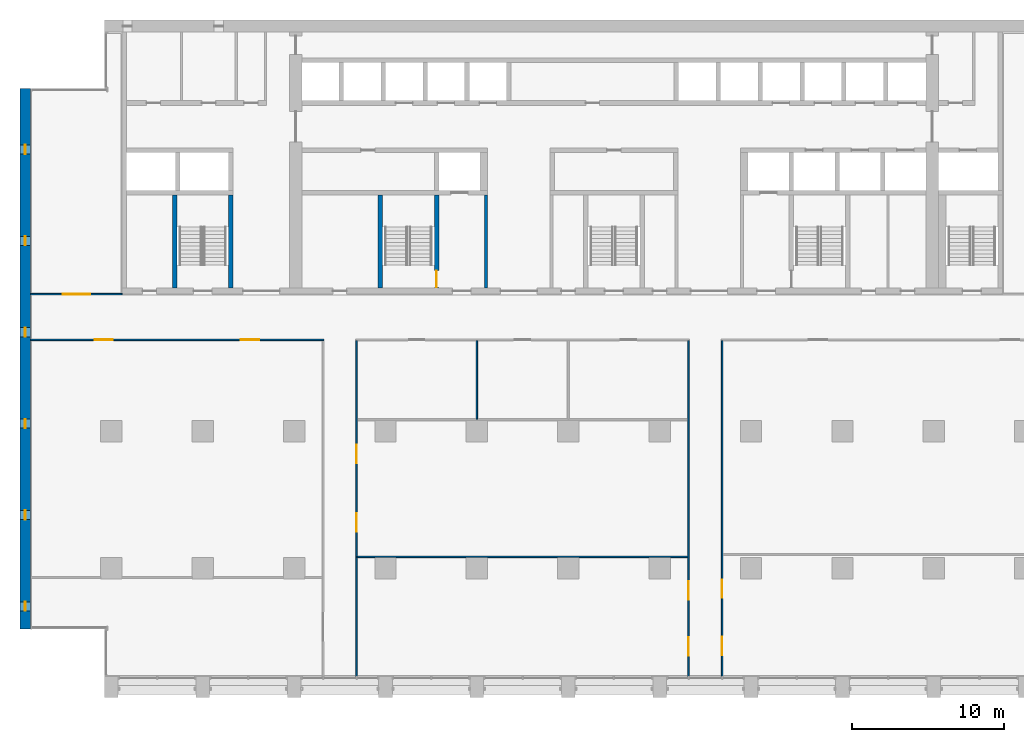
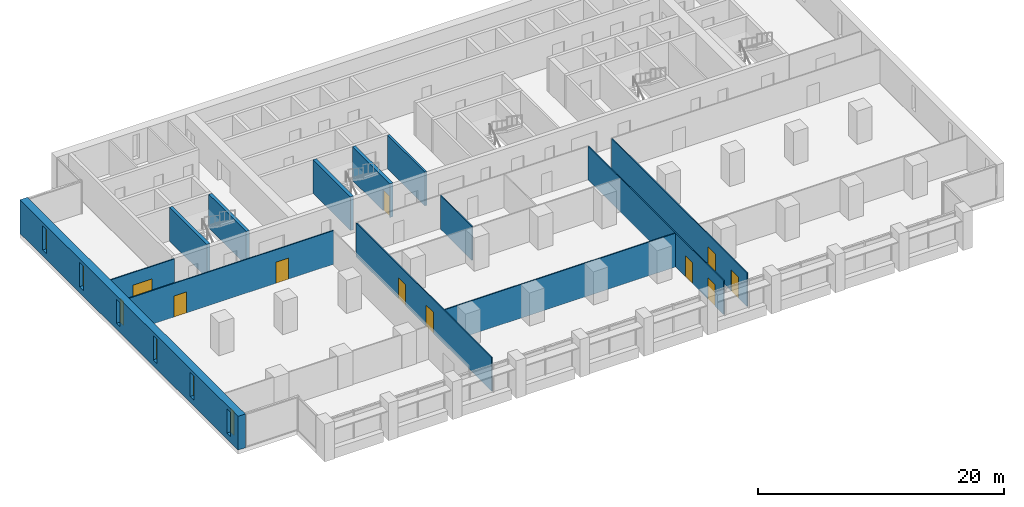
# One storey, part 8 of 15: 13 walls, 10 doors, 6 windows, 16 openings.
"""IFC4 building model written with IfcOpenShell, lengths in metres."""

import ifcopenshell
import ifcopenshell.guid

model = None  # the IFC model being written
_history = None  # IfcOwnerHistory: only IFC2X3 demands one
_inside = {}  # id of a spatial element -> (the spatial element, [elements in it])
_under = {}  # id of a project, library or spatial element -> (it, [spatial elements below it])
_declared = {}  # id of a project -> (the project, [libraries it declares])
_typed = {}  # id of a type object -> (the type object, [elements of that type])
_made_of = {}  # id of a material, layer set ... -> (it, [elements and type objects made of it])


def new_model(schema):
    """Start an empty IFC model of exactly this schema.

    Asked for "IFC4X3", IfcOpenShell would pick the latest addendum, in which some entities
    have other attributes; the version numbers below select the first issue.
    IFC2X3 requires an IfcOwnerHistory on every rooted entity: one is made here for all.
    """
    global model, _history
    if schema == "IFC4X3":
        model = ifcopenshell.file(schema_version=(4, 3, 0, 0))
    else:
        model = ifcopenshell.file(schema=schema)
    _inside.clear()
    _under.clear()
    _declared.clear()
    _typed.clear()
    _made_of.clear()
    _history = None
    if model.schema == "IFC2X3":
        org = make("IfcOrganization", Name="unknown")
        user = make(
            "IfcPersonAndOrganization",
            ThePerson=make("IfcPerson", FamilyName="unknown"),
            TheOrganization=org,
        )
        app = make(
            "IfcApplication",
            ApplicationDeveloper=org,
            Version="unknown",
            ApplicationFullName="unknown",
            ApplicationIdentifier="unknown",
        )
        _history = make(
            "IfcOwnerHistory",
            OwningUser=user,
            OwningApplication=app,
            ChangeAction="ADDED",
            CreationDate=0,
        )
    return model


def make(cls, **values):
    """One entity of the class cls with the attributes given. An attribute that is None is left unset."""
    return model.create_entity(
        cls, **{name: value for name, value in values.items() if value is not None}
    )


def rooted(cls, **values):
    """An entity with a GlobalId (a new one), such as an element, a storey or a relation."""
    return make(cls, GlobalId=ifcopenshell.guid.new(), OwnerHistory=_history, **values)


def si_unit(unit_type, name, prefix=None):
    """IfcSIUnit, for example si_unit("LENGTHUNIT", "METRE", prefix="MILLI")."""
    return make("IfcSIUnit", UnitType=unit_type, Prefix=prefix, Name=name)


def assignment(units):
    """IfcUnitAssignment: the units of a project."""
    return None if units is None else make("IfcUnitAssignment", Units=units)


def point(xyz):
    """IfcCartesianPoint."""
    return None if xyz is None else make("IfcCartesianPoint", Coordinates=xyz)


def direction(xyz):
    """IfcDirection."""
    return None if xyz is None else make("IfcDirection", DirectionRatios=xyz)


def frame(location, z_axis=None, x_axis=None):
    """IfcAxis2Placement3D, a coordinate frame: its origin and axes. An axis left out is left unset."""
    return make(
        "IfcAxis2Placement3D",
        Location=point(location),
        Axis=direction(z_axis),
        RefDirection=direction(x_axis),
    )


def frame_2d(location, x_axis=None):
    """IfcAxis2Placement2D, a coordinate frame in the plane: its origin and x axis."""
    return make(
        "IfcAxis2Placement2D", Location=point(location), RefDirection=direction(x_axis)
    )


def origin():
    """The frame at (0, 0, 0) with its axes left unset."""
    return frame((0.0, 0.0, 0.0))


def place(relative_to, where):
    """IfcLocalPlacement: puts the frame where relative to a parent placement (None: the world)."""
    return make(
        "IfcLocalPlacement", PlacementRelTo=relative_to, RelativePlacement=where
    )


def context(
    kind, dimensions, precision=None, world=None, true_north=None, identifier=None
):
    """IfcGeometricRepresentationContext, for example the 3D "Model" context."""
    return make(
        "IfcGeometricRepresentationContext",
        ContextIdentifier=identifier,
        ContextType=kind,
        CoordinateSpaceDimension=dimensions,
        Precision=precision,
        WorldCoordinateSystem=world,
        TrueNorth=true_north,
    )


def subcontext(parent, identifier, kind, view, scale=None):
    """IfcGeometricRepresentationSubContext, for example "Body" below "Model"."""
    return make(
        "IfcGeometricRepresentationSubContext",
        ContextIdentifier=identifier,
        ContextType=kind,
        ParentContext=parent,
        TargetScale=scale,
        TargetView=view,
    )


def project(units=None, contexts=None):
    """IfcProject with its units and contexts."""
    return rooted(
        "IfcProject",
        Name="project",
        RepresentationContexts=contexts,
        UnitsInContext=assignment(units),
    )


def spatial(cls, under=None, at=None, **own):
    """A site, building, storey or space (cls), placed at a placement, below another one or the project."""
    s = rooted(cls, ObjectPlacement=at, **own)
    if under is not None:
        _under.setdefault(under.id(), (under, []))[1].append(s)
    return s


def profile(cls, at=None, kind="AREA", **sizes):
    """A parametric profile (cls). Its sizes go by their IFC names, for example OverallWidth=200.0."""
    return make(cls, ProfileType=kind, Position=at, **sizes)


def rectangle(**sizes):
    """IfcRectangleProfileDef."""
    return profile("IfcRectangleProfileDef", **sizes)


def extrude(swept, where, along, depth):
    """IfcExtrudedAreaSolid: the profile swept, set in the frame where, extruded along a direction by depth."""
    return make(
        "IfcExtrudedAreaSolid",
        SweptArea=swept,
        Position=where,
        ExtrudedDirection=direction(along),
        Depth=depth,
    )


def shape(context_of_items, identifier, shape_type, items):
    """IfcShapeRepresentation: the items that make up one representation, for example the "Body"."""
    return make(
        "IfcShapeRepresentation",
        ContextOfItems=context_of_items,
        RepresentationIdentifier=identifier,
        RepresentationType=shape_type,
        Items=items,
    )


def material(Name=None, Category=None):
    """IfcMaterial."""
    return make("IfcMaterial", Name=Name, Category=Category)


def layer(
    of_material, thickness, ventilated=None, Name=None, Category=None, Priority=None
):
    """IfcMaterialLayer: one layer of a wall or slab, of a material (None: an air gap)."""
    return make(
        "IfcMaterialLayer",
        Material=of_material,
        LayerThickness=thickness,
        IsVentilated=ventilated,
        Name=Name,
        Category=Category,
        Priority=Priority,
    )


def layer_set(layers, Name=None):
    """IfcMaterialLayerSet."""
    return make("IfcMaterialLayerSet", MaterialLayers=layers, LayerSetName=Name)


def made_of(thing, what):
    """Note that an element or type object is made of a material, layer set ...; save() writes the relation."""
    if what is not None:
        _made_of.setdefault(what.id(), (what, []))[1].append(thing)
    return thing


def type_object(cls, material=None, **own):
    """A type object (cls), such as IfcWallType, which elements share."""
    return made_of(rooted(cls, **own), material)


def element(
    cls,
    number,
    at=None,
    inside=None,
    cuts=None,
    type_object=None,
    material=None,
    context=None,
    identifier="Body",
    shape_type=None,
    held_by="IfcProductDefinitionShape",
    body=None,
    shapes=None,
    **own,
):
    """One element of the class cls, such as IfcWall. Its Tag is "e" and its number.

    at: its placement. inside: the storey or other place that contains it. cuts: it is an
    opening in that element (IfcRelVoidsElement). A single representation is given by context,
    identifier, shape_type and body (its items); several are given by shapes. held_by: the class
    of the entity that holds the representations. save() writes the other relations.
    """
    e = rooted(cls, Tag="e%d" % number, ObjectPlacement=at, **own)
    if body is not None:
        shapes = [shape(context, identifier, shape_type, body)]
    if shapes is not None:
        e.Representation = make(held_by, Representations=shapes)
    if inside is not None:
        _inside.setdefault(inside.id(), (inside, []))[1].append(e)
    if cuts is not None:
        rooted(
            "IfcRelVoidsElement", RelatingBuildingElement=cuts, RelatedOpeningElement=e
        )
    if type_object is not None:
        _typed.setdefault(type_object.id(), (type_object, []))[1].append(e)
    return made_of(e, material)


def fill(opening, filler):
    """IfcRelFillsElement: the door or window that sits in an opening."""
    return rooted(
        "IfcRelFillsElement",
        RelatingOpeningElement=opening,
        RelatedBuildingElement=filler,
    )


def aggregate(whole, parts):
    """IfcRelAggregates: a whole, such as a stair, and the parts it consists of."""
    return rooted("IfcRelAggregates", RelatingObject=whole, RelatedObjects=parts)


def save(model, path):
    """Write the relations noted so far, then the file.

    IfcRelAggregates (storeys below a building ...), IfcRelContainedInSpatialStructure (elements
    in a storey), IfcRelDefinesByType, IfcRelAssociatesMaterial and IfcRelDeclares: one each for
    every whole, place, type object, material and project.
    """
    for whole, parts in _under.values():
        aggregate(whole, parts)
    for where, things in _inside.values():
        rooted(
            "IfcRelContainedInSpatialStructure",
            RelatedElements=things,
            RelatingStructure=where,
        )
    for kind, things in _typed.values():
        rooted("IfcRelDefinesByType", RelatedObjects=things, RelatingType=kind)
    for what, things in _made_of.values():
        rooted("IfcRelAssociatesMaterial", RelatedObjects=things, RelatingMaterial=what)
    for by, libraries in _declared.values():
        rooted("IfcRelDeclares", RelatingContext=by, RelatedDefinitions=libraries)
    model.write(path)


model = new_model("IFC4")

# Units and contexts
model_context = context("Model", 3, precision=1e-05, world=origin(), true_north=direction((0.0, 1.0)))
body_context = subcontext(model_context, "Body", "Model", "MODEL_VIEW")
ifc_project = project(units=[si_unit("LENGTHUNIT", "METRE"), si_unit("AREAUNIT", "SQUARE_METRE"), si_unit("VOLUMEUNIT", "CUBIC_METRE"), si_unit("PLANEANGLEUNIT", "RADIAN"), si_unit("MASSUNIT", "GRAM", prefix="KILO")], contexts=[model_context])

# Site, building, storey
site_placement = place(None, origin())
site = spatial("IfcSite", under=ifc_project, at=site_placement, CompositionType="ELEMENT")
building_placement = place(site_placement, origin())
building = spatial("IfcBuilding", under=site, at=building_placement, Name="Calvaro Tower", CompositionType="ELEMENT")
storey_placement = place(building_placement, frame((0.0, 0.0, 106.25)))
storey = spatial("IfcBuildingStorey", under=building, at=storey_placement, Name="L26", CompositionType="ELEMENT", Elevation=106.25)

# Walls
ifc_material_1 = material(Name="Blockwork partition", Category="masonry")
ifc_layer_1 = layer(ifc_material_1, 0.199951171875)
ifc_layer_set_1 = layer_set([ifc_layer_1], Name="Blockwork partition")
wall_type_1 = type_object("IfcWallType", Name="Core partition 200 REI 120", PredefinedType="PARTITIONING", material=ifc_layer_set_1)
wall_1_placement = place(storey_placement, frame((30.60009765625, 28.39990234375, 0.0), z_axis=(0.0, 0.0, 1.0), x_axis=(0.0, 1.0, 0.0)))
element("IfcWall", 1, at=wall_1_placement, inside=storey, type_object=wall_type_1, Name="Core partition", PredefinedType="PARTITIONING", context=body_context, shape_type="SweptSolid", body=[
    extrude(rectangle(XDim=6.10009765625, YDim=0.199951171875, at=frame_2d((3.050048828125, 0.0))), origin(), (0.0, 0.0, 1.0), 3.35009765625),
])
ifc_material_2 = material(Name="Concrete C60/75", Category="concrete")
ifc_layer_2 = layer(ifc_material_2, 0.300048828125)
ifc_layer_set_2 = layer_set([ifc_layer_2], Name="Concrete C60/75")
wall_type_2 = type_object("IfcWallType", Name="Core wall C60/75 300", PredefinedType="SHEAR", material=ifc_layer_set_2)
for number, where, z_axis, x_axis, name in (
    (2, (10.14990234375, 28.39990234375, 0.0), (0.0, 0.0, 1.0), (0.0, 1.0, 0.0), "Core wall, stair enclosure"),
    (3, (13.85009765625, 28.39990234375, 0.0), (0.0, 0.0, 1.0), (0.0, 1.0, 0.0), "Core wall, stair enclosure"),
    (4, (23.64990234375, 28.39990234375, 0.0), (0.0, 0.0, 1.0), (0.0, 1.0, 0.0), "Core wall, stair enclosure"),
):
    element("IfcWall", number, at=place(storey_placement, frame(where, z_axis=z_axis, x_axis=x_axis)), inside=storey, type_object=wall_type_2, Name=name, PredefinedType="SHEAR", context=body_context, shape_type="SweptSolid", body=[
        extrude(rectangle(XDim=6.10009765625, YDim=0.300048828125, at=frame_2d((3.050048828125, 0.0))), origin(), (0.0, 0.0, 1.0), 3.35009765625),
    ])

# Wall, opening, door
wall_2_placement = place(storey_placement, frame((27.35009765625, 28.39990234375, 0.0), z_axis=(0.0, 0.0, 1.0), x_axis=(0.0, 1.0, 0.0)))
wall_2 = element("IfcWall", 5, at=wall_2_placement, inside=storey, type_object=wall_type_2, Name="Core wall, stair enclosure", PredefinedType="SHEAR", context=body_context, shape_type="SweptSolid", body=[
    extrude(rectangle(XDim=6.10009765625, YDim=0.300048828125, at=frame_2d((3.050048828125, 0.0))), origin(), (0.0, 0.0, 1.0), 3.35009765625),
])
opening_1_placement = place(wall_2_placement, frame((0.050048828125, 0.0, 0.0)))
opening_1 = element("IfcOpeningElement", 6, at=opening_1_placement, cuts=wall_2, Name="Opening FD11D", PredefinedType="OPENING", context=body_context, shape_type="SweptSolid", body=[
    extrude(rectangle(XDim=1.10009765625, YDim=2.10009765625, at=frame_2d((0.550048828125, 1.050048828125))), frame((0.0, 0.159912109375, 0.0), z_axis=(0.0, -1.0, 0.0), x_axis=(1.0, 0.0, 0.0)), (0.0, 0.0, 1.0), 0.320068359375),
])
ifc_material_3 = material(Name="Steel door set", Category="steel")
door_type_1 = type_object("IfcDoorType", Name="Fire door 1100 FD30S", OperationType="SINGLE_SWING_LEFT", PredefinedType="DOOR", material=ifc_material_3)
door_1_placement = place(opening_1_placement, origin())
door_1 = element("IfcDoor", 7, at=door_1_placement, inside=storey, type_object=door_type_1, Name="Fire door", OperationType="SINGLE_SWING_LEFT", OverallHeight=2.10009765625, OverallWidth=1.10009765625, PredefinedType="DOOR", context=body_context, shape_type="SweptSolid", body=[
    extrude(rectangle(XDim=1.10009765625, YDim=2.10009765625, at=frame_2d((0.550048828125, 1.050048828125))), frame((0.0, 0.02490234375, 0.0), z_axis=(0.0, -1.0, 0.0), x_axis=(1.0, 0.0, 0.0)), (0.0, 0.0, 1.0), 0.050048828125),
])
fill(opening_1, door_1)

# Wall, openings, windows
ifc_material_4 = material(Name="Concrete C60/75", Category="concrete")
ifc_layer_3 = layer(ifc_material_4, 0.699951171875)
ifc_layer_set_3 = layer_set([ifc_layer_3], Name="Concrete C60/75")
wall_type_3 = type_object("IfcWallType", Name="End wall 700 C60/75", PredefinedType="SHEAR", material=ifc_layer_set_3)
wall_3_placement = place(storey_placement, frame((0.35009765625, 6.0, 0.0), z_axis=(0.0, 0.0, 1.0), x_axis=(0.0, 1.0, 0.0)))
wall_3 = element("IfcWall", 8, at=wall_3_placement, inside=storey, type_object=wall_type_3, Name="End shear wall", PredefinedType="SHEAR", context=body_context, shape_type="SweptSolid", body=[
    extrude(rectangle(XDim=35.5, YDim=0.699951171875, at=frame_2d((17.75, 0.0))), origin(), (0.0, 0.0, 1.0), 3.35009765625),
])
opening_2_placement = place(wall_3_placement, frame((1.199951171875, 0.0, 0.60009765625)))
opening_2 = element("IfcOpeningElement", 9, at=opening_2_placement, cuts=wall_3, Name="Opening WW01", PredefinedType="OPENING", context=body_context, shape_type="SweptSolid", body=[
    extrude(rectangle(XDim=0.60009765625, YDim=2.39990234375, at=frame_2d((0.300048828125, 1.199951171875))), frame((0.0, 0.35986328125, 0.0), z_axis=(0.0, -1.0, 0.0), x_axis=(1.0, 0.0, 0.0)), (0.0, 0.0, 1.0), 0.719970703125),
])
opening_3_placement = place(wall_3_placement, frame((7.199951171875, 0.0, 0.60009765625)))
opening_3 = element("IfcOpeningElement", 10, at=opening_3_placement, cuts=wall_3, Name="Opening WW02", PredefinedType="OPENING", context=body_context, shape_type="SweptSolid", body=[
    extrude(rectangle(XDim=0.60009765625, YDim=2.39990234375, at=frame_2d((0.300048828125, 1.199951171875))), frame((0.0, 0.35986328125, 0.0), z_axis=(0.0, -1.0, 0.0), x_axis=(1.0, 0.0, 0.0)), (0.0, 0.0, 1.0), 0.719970703125),
])
opening_4_placement = place(wall_3_placement, frame((13.199951171875, 0.0, 0.60009765625)))
opening_4 = element("IfcOpeningElement", 11, at=opening_4_placement, cuts=wall_3, Name="Opening WW03", PredefinedType="OPENING", context=body_context, shape_type="SweptSolid", body=[
    extrude(rectangle(XDim=0.60009765625, YDim=2.39990234375, at=frame_2d((0.300048828125, 1.199951171875))), frame((0.0, 0.35986328125, 0.0), z_axis=(0.0, -1.0, 0.0), x_axis=(1.0, 0.0, 0.0)), (0.0, 0.0, 1.0), 0.719970703125),
])
opening_5_placement = place(wall_3_placement, frame((19.199951171875, 0.0, 0.60009765625)))
opening_5 = element("IfcOpeningElement", 12, at=opening_5_placement, cuts=wall_3, Name="Opening WW04", PredefinedType="OPENING", context=body_context, shape_type="SweptSolid", body=[
    extrude(rectangle(XDim=0.60009765625, YDim=2.39990234375, at=frame_2d((0.300048828125, 1.199951171875))), frame((0.0, 0.35986328125, 0.0), z_axis=(0.0, -1.0, 0.0), x_axis=(1.0, 0.0, 0.0)), (0.0, 0.0, 1.0), 0.719970703125),
])
opening_6_placement = place(wall_3_placement, frame((25.199951171875, 0.0, 0.60009765625)))
opening_6 = element("IfcOpeningElement", 13, at=opening_6_placement, cuts=wall_3, Name="Opening WW05", PredefinedType="OPENING", context=body_context, shape_type="SweptSolid", body=[
    extrude(rectangle(XDim=0.60009765625, YDim=2.39990234375, at=frame_2d((0.300048828125, 1.199951171875))), frame((0.0, 0.35986328125, 0.0), z_axis=(0.0, -1.0, 0.0), x_axis=(1.0, 0.0, 0.0)), (0.0, 0.0, 1.0), 0.719970703125),
])
opening_7_placement = place(wall_3_placement, frame((31.199951171875, 0.0, 0.60009765625)))
opening_7 = element("IfcOpeningElement", 14, at=opening_7_placement, cuts=wall_3, Name="Opening WW06", PredefinedType="OPENING", context=body_context, shape_type="SweptSolid", body=[
    extrude(rectangle(XDim=0.60009765625, YDim=2.39990234375, at=frame_2d((0.300048828125, 1.199951171875))), frame((0.0, 0.35986328125, 0.0), z_axis=(0.0, -1.0, 0.0), x_axis=(1.0, 0.0, 0.0)), (0.0, 0.0, 1.0), 0.719970703125),
])
ifc_material_5 = material(Name="Glass", Category="glass")
window_type = type_object("IfcWindowType", Name="Slit window 600 x 2400", PartitioningType="SINGLE_PANEL", PredefinedType="WINDOW", material=ifc_material_5)
window_1_placement = place(opening_2_placement, origin())
window_1 = element("IfcWindow", 15, at=window_1_placement, inside=storey, type_object=window_type, Name="Window WW01", OverallHeight=2.39990234375, OverallWidth=0.60009765625, PartitioningType="SINGLE_PANEL", PredefinedType="WINDOW", context=body_context, shape_type="SweptSolid", body=[
    extrude(rectangle(XDim=0.60009765625, YDim=2.39990234375, at=frame_2d((0.300048828125, 1.199951171875))), frame((0.0, 0.030029296875, 0.0), z_axis=(0.0, -1.0, 0.0), x_axis=(1.0, 0.0, 0.0)), (0.0, 0.0, 1.0), 0.06005859375),
])
fill(opening_2, window_1)
window_2_placement = place(opening_3_placement, origin())
window_2 = element("IfcWindow", 16, at=window_2_placement, inside=storey, type_object=window_type, Name="Window WW02", OverallHeight=2.39990234375, OverallWidth=0.60009765625, PartitioningType="SINGLE_PANEL", PredefinedType="WINDOW", context=body_context, shape_type="SweptSolid", body=[
    extrude(rectangle(XDim=0.60009765625, YDim=2.39990234375, at=frame_2d((0.300048828125, 1.199951171875))), frame((0.0, 0.030029296875, 0.0), z_axis=(0.0, -1.0, 0.0), x_axis=(1.0, 0.0, 0.0)), (0.0, 0.0, 1.0), 0.06005859375),
])
fill(opening_3, window_2)
window_3_placement = place(opening_4_placement, origin())
window_3 = element("IfcWindow", 17, at=window_3_placement, inside=storey, type_object=window_type, Name="Window WW03", OverallHeight=2.39990234375, OverallWidth=0.60009765625, PartitioningType="SINGLE_PANEL", PredefinedType="WINDOW", context=body_context, shape_type="SweptSolid", body=[
    extrude(rectangle(XDim=0.60009765625, YDim=2.39990234375, at=frame_2d((0.300048828125, 1.199951171875))), frame((0.0, 0.030029296875, 0.0), z_axis=(0.0, -1.0, 0.0), x_axis=(1.0, 0.0, 0.0)), (0.0, 0.0, 1.0), 0.06005859375),
])
fill(opening_4, window_3)
window_4_placement = place(opening_5_placement, origin())
window_4 = element("IfcWindow", 18, at=window_4_placement, inside=storey, type_object=window_type, Name="Window WW04", OverallHeight=2.39990234375, OverallWidth=0.60009765625, PartitioningType="SINGLE_PANEL", PredefinedType="WINDOW", context=body_context, shape_type="SweptSolid", body=[
    extrude(rectangle(XDim=0.60009765625, YDim=2.39990234375, at=frame_2d((0.300048828125, 1.199951171875))), frame((0.0, 0.030029296875, 0.0), z_axis=(0.0, -1.0, 0.0), x_axis=(1.0, 0.0, 0.0)), (0.0, 0.0, 1.0), 0.06005859375),
])
fill(opening_5, window_4)
window_5_placement = place(opening_6_placement, origin())
window_5 = element("IfcWindow", 19, at=window_5_placement, inside=storey, type_object=window_type, Name="Window WW05", OverallHeight=2.39990234375, OverallWidth=0.60009765625, PartitioningType="SINGLE_PANEL", PredefinedType="WINDOW", context=body_context, shape_type="SweptSolid", body=[
    extrude(rectangle(XDim=0.60009765625, YDim=2.39990234375, at=frame_2d((0.300048828125, 1.199951171875))), frame((0.0, 0.030029296875, 0.0), z_axis=(0.0, -1.0, 0.0), x_axis=(1.0, 0.0, 0.0)), (0.0, 0.0, 1.0), 0.06005859375),
])
fill(opening_6, window_5)
window_6_placement = place(opening_7_placement, origin())
window_6 = element("IfcWindow", 20, at=window_6_placement, inside=storey, type_object=window_type, Name="Window WW06", OverallHeight=2.39990234375, OverallWidth=0.60009765625, PartitioningType="SINGLE_PANEL", PredefinedType="WINDOW", context=body_context, shape_type="SweptSolid", body=[
    extrude(rectangle(XDim=0.60009765625, YDim=2.39990234375, at=frame_2d((0.300048828125, 1.199951171875))), frame((0.0, 0.030029296875, 0.0), z_axis=(0.0, -1.0, 0.0), x_axis=(1.0, 0.0, 0.0)), (0.0, 0.0, 1.0), 0.06005859375),
])
fill(opening_7, window_6)

# Wall
ifc_material_6 = material(Name="Plasterboard on steel studs", Category="steel")
ifc_layer_4 = layer(ifc_material_6, 0.10009765625)
ifc_layer_set_4 = layer_set([ifc_layer_4], Name="Plasterboard on steel studs")
wall_type_4 = type_object("IfcWallType", Name="Partition 100", PredefinedType="PARTITIONING", material=ifc_layer_set_4)
wall_4_placement = place(storey_placement, frame((22.14990234375, 10.75, 0.0), z_axis=(0.0, 0.0, 1.0), x_axis=(1.0, 0.0, 0.0)))
element("IfcWall", 21, at=wall_4_placement, inside=storey, type_object=wall_type_4, Name="Partition T17.W005", PredefinedType="PARTITIONING", context=body_context, shape_type="SweptSolid", body=[
    extrude(rectangle(XDim=21.7001953125, YDim=0.10009765625, at=frame_2d((10.85009765625, 0.0))), origin(), (0.0, 0.0, 1.0), 3.35009765625),
])

# Wall, openings, doors
wall_5_placement = place(storey_placement, frame((0.699951171875, 25.0, 0.0), z_axis=(0.0, 0.0, 1.0), x_axis=(1.0, 0.0, 0.0)))
wall_5 = element("IfcWall", 22, at=wall_5_placement, inside=storey, type_object=wall_type_4, Name="Partition T17.W008", PredefinedType="PARTITIONING", context=body_context, shape_type="SweptSolid", body=[
    extrude(rectangle(XDim=19.25, YDim=0.10009765625, at=frame_2d((9.625, 0.0))), origin(), (0.0, 0.0, 1.0), 3.35009765625),
])
opening_8_placement = place(wall_5_placement, frame((4.199951171875, 0.0, 0.0)))
opening_8 = element("IfcOpeningElement", 23, at=opening_8_placement, cuts=wall_5, Name="Opening T17.008", PredefinedType="OPENING", context=body_context, shape_type="SweptSolid", body=[
    extrude(rectangle(XDim=1.199951171875, YDim=2.10009765625, at=frame_2d((0.60009765625, 1.050048828125))), frame((0.0, 0.06005859375, 0.0), z_axis=(0.0, -1.0, 0.0), x_axis=(1.0, 0.0, 0.0)), (0.0, 0.0, 1.0), 0.1201171875),
])
opening_9_placement = place(wall_5_placement, frame((13.800048828125, 0.0, 0.0)))
opening_9 = element("IfcOpeningElement", 24, at=opening_9_placement, cuts=wall_5, Name="Opening T17.009", PredefinedType="OPENING", context=body_context, shape_type="SweptSolid", body=[
    extrude(rectangle(XDim=1.199951171875, YDim=2.10009765625, at=frame_2d((0.60009765625, 1.050048828125))), frame((0.0, 0.06005859375, 0.0), z_axis=(0.0, -1.0, 0.0), x_axis=(1.0, 0.0, 0.0)), (0.0, 0.0, 1.0), 0.1201171875),
])
ifc_material_7 = material(Name="Timber", Category="wood")
door_type_2 = type_object("IfcDoorType", Name="Internal single door 1200 x 2100", OperationType="SINGLE_SWING_LEFT", PredefinedType="DOOR", material=ifc_material_7)
door_2_placement = place(opening_8_placement, origin())
door_2 = element("IfcDoor", 25, at=door_2_placement, inside=storey, type_object=door_type_2, Name="Door T17.008", OperationType="SINGLE_SWING_LEFT", OverallHeight=2.10009765625, OverallWidth=1.199951171875, PredefinedType="DOOR", context=body_context, shape_type="SweptSolid", body=[
    extrude(rectangle(XDim=1.199951171875, YDim=2.10009765625, at=frame_2d((0.60009765625, 1.050048828125))), frame((0.0, 0.02490234375, 0.0), z_axis=(0.0, -1.0, 0.0), x_axis=(1.0, 0.0, 0.0)), (0.0, 0.0, 1.0), 0.050048828125),
])
fill(opening_8, door_2)
door_3_placement = place(opening_9_placement, origin())
door_3 = element("IfcDoor", 26, at=door_3_placement, inside=storey, type_object=door_type_2, Name="Door T17.009", OperationType="SINGLE_SWING_RIGHT", OverallHeight=2.10009765625, OverallWidth=1.199951171875, PredefinedType="DOOR", context=body_context, shape_type="SweptSolid", body=[
    extrude(rectangle(XDim=1.199951171875, YDim=2.10009765625, at=frame_2d((0.60009765625, 1.050048828125))), frame((0.0, 0.02490234375, 0.0), z_axis=(0.0, -1.0, 0.0), x_axis=(1.0, 0.0, 0.0)), (0.0, 0.0, 1.0), 0.050048828125),
])
fill(opening_9, door_3)

# Wall, opening, door
wall_6_placement = place(storey_placement, frame((0.699951171875, 28.0, 0.0), z_axis=(0.0, 0.0, 1.0), x_axis=(1.0, 0.0, 0.0)))
wall_6 = element("IfcWall", 27, at=wall_6_placement, inside=storey, type_object=wall_type_4, Name="Partition T17.W011", PredefinedType="PARTITIONING", context=body_context, shape_type="SweptSolid", body=[
    extrude(rectangle(XDim=6.0, YDim=0.10009765625, at=frame_2d((3.0, 0.0))), origin(), (0.0, 0.0, 1.0), 3.35009765625),
])
opening_10_placement = place(wall_6_placement, frame((2.10009765625, 0.0, 0.0)))
opening_10 = element("IfcOpeningElement", 28, at=opening_10_placement, cuts=wall_6, Name="Opening T17.015", PredefinedType="OPENING", context=body_context, shape_type="SweptSolid", body=[
    extrude(rectangle(XDim=1.800048828125, YDim=2.10009765625, at=frame_2d((0.89990234375, 1.050048828125))), frame((0.0, 0.06005859375, 0.0), z_axis=(0.0, -1.0, 0.0), x_axis=(1.0, 0.0, 0.0)), (0.0, 0.0, 1.0), 0.1201171875),
])
ifc_material_8 = material(Name="Timber", Category="wood")
door_type_3 = type_object("IfcDoorType", Name="Internal double door 1800 x 2100", OperationType="DOUBLE_DOOR_SINGLE_SWING", PredefinedType="DOOR", material=ifc_material_8)
door_4_placement = place(opening_10_placement, origin())
door_4 = element("IfcDoor", 29, at=door_4_placement, inside=storey, type_object=door_type_3, Name="Door T17.015", OperationType="DOUBLE_DOOR_SINGLE_SWING", OverallHeight=2.10009765625, OverallWidth=1.800048828125, PredefinedType="DOOR", context=body_context, shape_type="SweptSolid", body=[
    extrude(rectangle(XDim=1.800048828125, YDim=2.10009765625, at=frame_2d((0.89990234375, 1.050048828125))), frame((0.0, 0.02490234375, 0.0), z_axis=(0.0, -1.0, 0.0), x_axis=(1.0, 0.0, 0.0)), (0.0, 0.0, 1.0), 0.050048828125),
])
fill(opening_10, door_4)

# Wall, openings, doors
wall_7_placement = place(storey_placement, frame((22.10009765625, 2.89990234375, 0.0), z_axis=(0.0, 0.0, 1.0), x_axis=(0.0, 1.0, 0.0)))
wall_7 = element("IfcWall", 30, at=wall_7_placement, inside=storey, type_object=wall_type_4, Name="Partition T17.W014", PredefinedType="PARTITIONING", context=body_context, shape_type="SweptSolid", body=[
    extrude(rectangle(XDim=22.050048828125, YDim=0.10009765625, at=frame_2d((11.02490234375, 0.0))), origin(), (0.0, 0.0, 1.0), 3.35009765625),
])
opening_11_placement = place(wall_7_placement, frame((9.5, 0.0, 0.0)))
opening_11 = element("IfcOpeningElement", 31, at=opening_11_placement, cuts=wall_7, Name="Opening T17.006", PredefinedType="OPENING", context=body_context, shape_type="SweptSolid", body=[
    extrude(rectangle(XDim=1.199951171875, YDim=2.10009765625, at=frame_2d((0.60009765625, 1.050048828125))), frame((0.0, 0.06005859375, 0.0), z_axis=(0.0, -1.0, 0.0), x_axis=(1.0, 0.0, 0.0)), (0.0, 0.0, 1.0), 0.1201171875),
])
opening_12_placement = place(wall_7_placement, frame((14.0, 0.0, 0.0)))
opening_12 = element("IfcOpeningElement", 32, at=opening_12_placement, cuts=wall_7, Name="Opening T17.007", PredefinedType="OPENING", context=body_context, shape_type="SweptSolid", body=[
    extrude(rectangle(XDim=1.199951171875, YDim=2.10009765625, at=frame_2d((0.60009765625, 1.050048828125))), frame((0.0, 0.06005859375, 0.0), z_axis=(0.0, -1.0, 0.0), x_axis=(1.0, 0.0, 0.0)), (0.0, 0.0, 1.0), 0.1201171875),
])
door_5_placement = place(opening_11_placement, origin())
door_5 = element("IfcDoor", 33, at=door_5_placement, inside=storey, type_object=door_type_2, Name="Door T17.006", OperationType="SINGLE_SWING_LEFT", OverallHeight=2.10009765625, OverallWidth=1.199951171875, PredefinedType="DOOR", context=body_context, shape_type="SweptSolid", body=[
    extrude(rectangle(XDim=1.199951171875, YDim=2.10009765625, at=frame_2d((0.60009765625, 1.050048828125))), frame((0.0, 0.02490234375, 0.0), z_axis=(0.0, -1.0, 0.0), x_axis=(1.0, 0.0, 0.0)), (0.0, 0.0, 1.0), 0.050048828125),
])
fill(opening_11, door_5)
door_6_placement = place(opening_12_placement, origin())
door_6 = element("IfcDoor", 34, at=door_6_placement, inside=storey, type_object=door_type_2, Name="Door T17.007", OperationType="SINGLE_SWING_RIGHT", OverallHeight=2.10009765625, OverallWidth=1.199951171875, PredefinedType="DOOR", context=body_context, shape_type="SweptSolid", body=[
    extrude(rectangle(XDim=1.199951171875, YDim=2.10009765625, at=frame_2d((0.60009765625, 1.050048828125))), frame((0.0, 0.02490234375, 0.0), z_axis=(0.0, -1.0, 0.0), x_axis=(1.0, 0.0, 0.0)), (0.0, 0.0, 1.0), 0.050048828125),
])
fill(opening_12, door_6)

# Wall
wall_8_placement = place(storey_placement, frame((30.0, 19.800048828125, 0.0), z_axis=(0.0, 0.0, 1.0), x_axis=(0.0, 1.0, 0.0)))
element("IfcWall", 35, at=wall_8_placement, inside=storey, type_object=wall_type_4, Name="Partition T17.W015", PredefinedType="PARTITIONING", context=body_context, shape_type="SweptSolid", body=[
    extrude(rectangle(XDim=5.14990234375, YDim=0.10009765625, at=frame_2d((2.574951171875, 0.0))), origin(), (0.0, 0.0, 1.0), 3.35009765625),
])

# Wall, openings, doors
wall_9_placement = place(storey_placement, frame((43.89990234375, 2.89990234375, 0.0), z_axis=(0.0, 0.0, 1.0), x_axis=(0.0, 1.0, 0.0)))
wall_9 = element("IfcWall", 36, at=wall_9_placement, inside=storey, type_object=wall_type_4, Name="Partition T17.W017", PredefinedType="PARTITIONING", context=body_context, shape_type="SweptSolid", body=[
    extrude(rectangle(XDim=22.050048828125, YDim=0.10009765625, at=frame_2d((11.02490234375, 0.0))), origin(), (0.0, 0.0, 1.0), 3.35009765625),
])
opening_13_placement = place(wall_9_placement, frame((1.362548828125, 0.0, 0.0)))
opening_13 = element("IfcOpeningElement", 37, at=opening_13_placement, cuts=wall_9, Name="Opening T17.002", PredefinedType="OPENING", context=body_context, shape_type="SweptSolid", body=[
    extrude(rectangle(XDim=1.199951171875, YDim=2.10009765625, at=frame_2d((0.60009765625, 1.050048828125))), frame((0.0, 0.06005859375, 0.0), z_axis=(0.0, -1.0, 0.0), x_axis=(1.0, 0.0, 0.0)), (0.0, 0.0, 1.0), 0.1201171875),
])
opening_14_placement = place(wall_9_placement, frame((5.03759765625, 0.0, 0.0)))
opening_14 = element("IfcOpeningElement", 38, at=opening_14_placement, cuts=wall_9, Name="Opening T17.003", PredefinedType="OPENING", context=body_context, shape_type="SweptSolid", body=[
    extrude(rectangle(XDim=1.199951171875, YDim=2.10009765625, at=frame_2d((0.60009765625, 1.050048828125))), frame((0.0, 0.06005859375, 0.0), z_axis=(0.0, -1.0, 0.0), x_axis=(1.0, 0.0, 0.0)), (0.0, 0.0, 1.0), 0.1201171875),
])
door_7_placement = place(opening_13_placement, origin())
door_7 = element("IfcDoor", 39, at=door_7_placement, inside=storey, type_object=door_type_2, Name="Door T17.002", OperationType="SINGLE_SWING_LEFT", OverallHeight=2.10009765625, OverallWidth=1.199951171875, PredefinedType="DOOR", context=body_context, shape_type="SweptSolid", body=[
    extrude(rectangle(XDim=1.199951171875, YDim=2.10009765625, at=frame_2d((0.60009765625, 1.050048828125))), frame((0.0, 0.02490234375, 0.0), z_axis=(0.0, -1.0, 0.0), x_axis=(1.0, 0.0, 0.0)), (0.0, 0.0, 1.0), 0.050048828125),
])
fill(opening_13, door_7)
door_8_placement = place(opening_14_placement, origin())
door_8 = element("IfcDoor", 40, at=door_8_placement, inside=storey, type_object=door_type_2, Name="Door T17.003", OperationType="SINGLE_SWING_LEFT", OverallHeight=2.10009765625, OverallWidth=1.199951171875, PredefinedType="DOOR", context=body_context, shape_type="SweptSolid", body=[
    extrude(rectangle(XDim=1.199951171875, YDim=2.10009765625, at=frame_2d((0.60009765625, 1.050048828125))), frame((0.0, 0.02490234375, 0.0), z_axis=(0.0, -1.0, 0.0), x_axis=(1.0, 0.0, 0.0)), (0.0, 0.0, 1.0), 0.050048828125),
])
fill(opening_14, door_8)

wall_10_placement = place(storey_placement, frame((46.10009765625, 2.89990234375, 0.0), z_axis=(0.0, 0.0, 1.0), x_axis=(0.0, 1.0, 0.0)))
wall_10 = element("IfcWall", 41, at=wall_10_placement, inside=storey, type_object=wall_type_4, Name="Partition T17.W018", PredefinedType="PARTITIONING", context=body_context, shape_type="SweptSolid", body=[
    extrude(rectangle(XDim=22.050048828125, YDim=0.10009765625, at=frame_2d((11.02490234375, 0.0))), origin(), (0.0, 0.0, 1.0), 3.35009765625),
])
opening_15_placement = place(wall_10_placement, frame((1.39990234375, 0.0, 0.0)))
opening_15 = element("IfcOpeningElement", 42, at=opening_15_placement, cuts=wall_10, Name="Opening T17.004", PredefinedType="OPENING", context=body_context, shape_type="SweptSolid", body=[
    extrude(rectangle(XDim=1.199951171875, YDim=2.10009765625, at=frame_2d((0.60009765625, 1.050048828125))), frame((0.0, 0.06005859375, 0.0), z_axis=(0.0, -1.0, 0.0), x_axis=(1.0, 0.0, 0.0)), (0.0, 0.0, 1.0), 0.1201171875),
])
opening_16_placement = place(wall_10_placement, frame((5.14990234375, 0.0, 0.0)))
opening_16 = element("IfcOpeningElement", 43, at=opening_16_placement, cuts=wall_10, Name="Opening T17.005", PredefinedType="OPENING", context=body_context, shape_type="SweptSolid", body=[
    extrude(rectangle(XDim=1.199951171875, YDim=2.10009765625, at=frame_2d((0.60009765625, 1.050048828125))), frame((0.0, 0.06005859375, 0.0), z_axis=(0.0, -1.0, 0.0), x_axis=(1.0, 0.0, 0.0)), (0.0, 0.0, 1.0), 0.1201171875),
])
door_9_placement = place(opening_15_placement, origin())
door_9 = element("IfcDoor", 44, at=door_9_placement, inside=storey, type_object=door_type_2, Name="Door T17.004", OperationType="SINGLE_SWING_LEFT", OverallHeight=2.10009765625, OverallWidth=1.199951171875, PredefinedType="DOOR", context=body_context, shape_type="SweptSolid", body=[
    extrude(rectangle(XDim=1.199951171875, YDim=2.10009765625, at=frame_2d((0.60009765625, 1.050048828125))), frame((0.0, 0.02490234375, 0.0), z_axis=(0.0, -1.0, 0.0), x_axis=(1.0, 0.0, 0.0)), (0.0, 0.0, 1.0), 0.050048828125),
])
fill(opening_15, door_9)
door_10_placement = place(opening_16_placement, origin())
door_10 = element("IfcDoor", 45, at=door_10_placement, inside=storey, type_object=door_type_2, Name="Door T17.005", OperationType="SINGLE_SWING_LEFT", OverallHeight=2.10009765625, OverallWidth=1.199951171875, PredefinedType="DOOR", context=body_context, shape_type="SweptSolid", body=[
    extrude(rectangle(XDim=1.199951171875, YDim=2.10009765625, at=frame_2d((0.60009765625, 1.050048828125))), frame((0.0, 0.02490234375, 0.0), z_axis=(0.0, -1.0, 0.0), x_axis=(1.0, 0.0, 0.0)), (0.0, 0.0, 1.0), 0.050048828125),
])
fill(opening_16, door_10)

save(model, "model.ifc")
